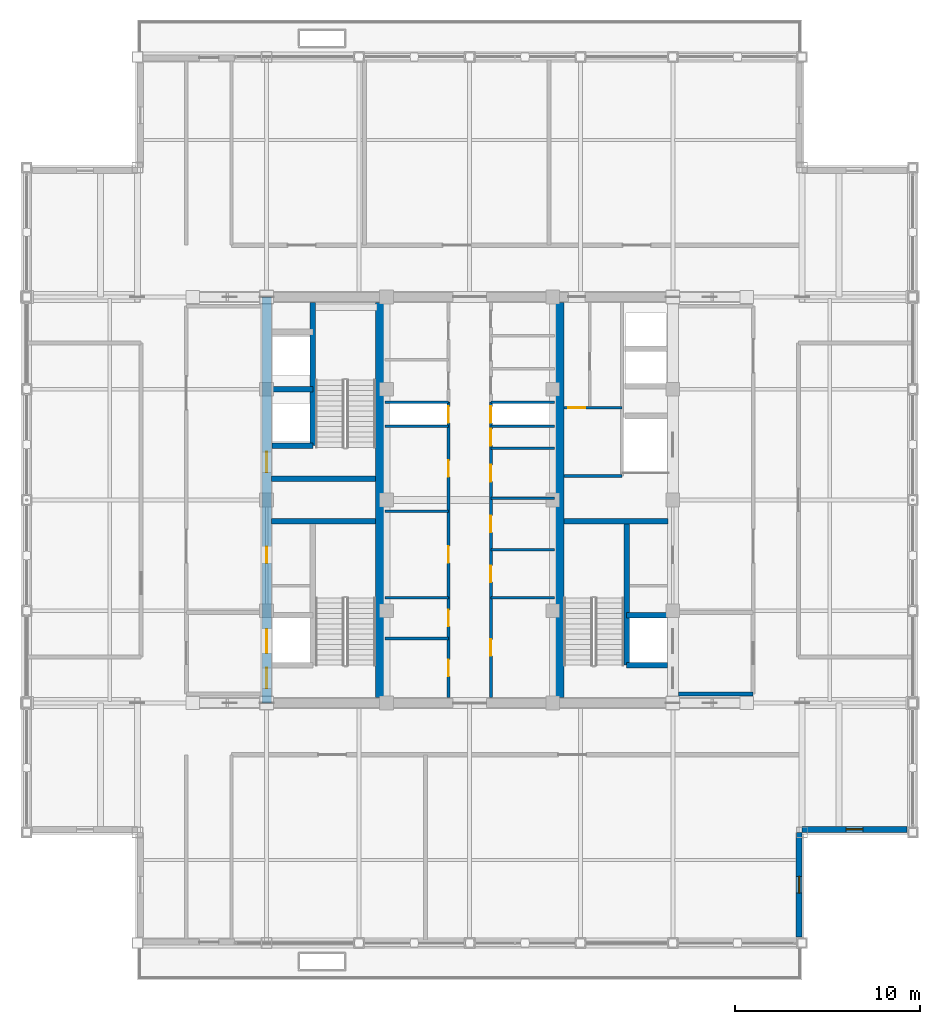
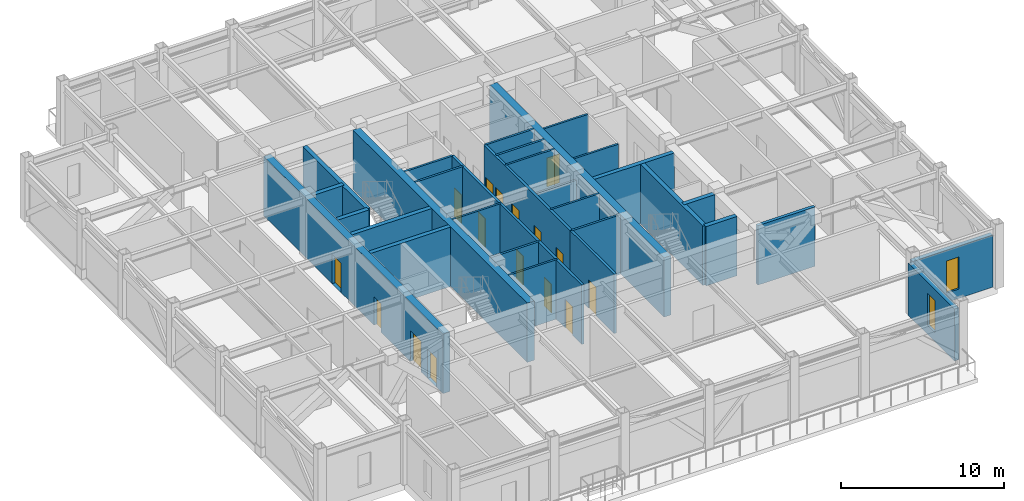
# One storey, part 27 of 32: 32 walls, 16 doors, 2 windows, 18 openings.
"""IFC4 building model written with IfcOpenShell, lengths in metres."""

from ifc_helpers import new_model, si_unit, direction, frame, frame_2d, origin, place, context, subcontext, project, spatial, rectangle, extrude, source, transform, mapped, material, layer, layer_set, type_object, element, fill, save


model = new_model("IFC4")

# Units and contexts
model_context = context("Model", 3, precision=1e-05, world=origin(), true_north=direction((0.0, 1.0)))
body_context = subcontext(model_context, "Body", "Model", "MODEL_VIEW")
ifc_project = project(units=[si_unit("LENGTHUNIT", "METRE"), si_unit("AREAUNIT", "SQUARE_METRE"), si_unit("VOLUMEUNIT", "CUBIC_METRE"), si_unit("PLANEANGLEUNIT", "RADIAN"), si_unit("MASSUNIT", "GRAM", prefix="KILO")], contexts=[model_context])

# Site, building, storey
site_placement = place(None, origin())
site = spatial("IfcSite", under=ifc_project, at=site_placement, CompositionType="ELEMENT")
building_placement = place(site_placement, origin())
building = spatial("IfcBuilding", under=site, at=building_placement, Name="Khorayat Bourse Tower", CompositionType="ELEMENT")
storey_placement = place(building_placement, frame((0.0, 0.0, 375.5)))
storey = spatial("IfcBuildingStorey", under=building, at=storey_placement, Name="L89", CompositionType="ELEMENT", Elevation=375.5)

# Wall, openings, doors
ifc_material_1 = material(Name="Concrete C52/65", Category="concrete")
ifc_layer_1 = layer(ifc_material_1, 0.5)
ifc_layer_set_1 = layer_set([ifc_layer_1], Name="Concrete C52/65")
wall_type_1 = type_object("IfcWallType", Name="WAL-CORE-500", PredefinedType="SHEAR", material=ifc_layer_set_1)
shared_shape_1 = source(origin(), body_context, "Body", "SweptSolid", [
    extrude(rectangle(XDim=22.0, YDim=0.5, at=frame_2d((11.0, 0.0))), origin(), (0.0, 0.0, 1.0), 4.449951171875),
])
wall_1_placement = place(storey_placement, frame((-11.0, -11.0, 0.0), z_axis=(0.0, 0.0, 1.0), x_axis=(0.0, 1.0, 0.0)))
wall_1 = element("IfcWall", 1, at=wall_1_placement, inside=storey, type_object=wall_type_1, Name="L89 Core Shear Wall CORE-W", PredefinedType="SHEAR", context=body_context, shape_type="MappedRepresentation", body=[
    mapped(shared_shape_1, transform((0.0, 0.0, 0.0), scale=1.0)),
])
shared_shape_2 = source(origin(), body_context, "Body", "SweptSolid", [
    extrude(rectangle(XDim=1.10009765625, YDim=2.199951171875, at=frame_2d((0.550048828125, 1.10009765625))), frame((0.0, 0.260009765625, 0.0), z_axis=(0.0, -1.0, 0.0), x_axis=(1.0, 0.0, 0.0)), (0.0, 0.0, 1.0), 0.52001953125),
])
opening_1_placement = place(wall_1_placement, frame((0.800048828125, 0.0, 0.0)))
opening_1 = element("IfcOpeningElement", 2, at=opening_1_placement, cuts=wall_1, Name="Opening DI-01", PredefinedType="OPENING", context=body_context, shape_type="MappedRepresentation", body=[
    mapped(shared_shape_2, transform((0.0, 0.0, 0.0), scale=1.0)),
])
opening_2_placement = place(wall_1_placement, frame((12.5, 0.0, 0.0)))
opening_2 = element("IfcOpeningElement", 3, at=opening_2_placement, cuts=wall_1, Name="Opening DI-01", PredefinedType="OPENING", context=body_context, shape_type="MappedRepresentation", body=[
    mapped(shared_shape_2, transform((0.0, 0.0, 0.0), scale=1.0)),
])
shared_shape_3 = source(origin(), body_context, "Body", "SweptSolid", [
    extrude(rectangle(XDim=0.89990234375, YDim=2.14990234375, at=frame_2d((0.449951171875, 1.074951171875))), frame((0.0, 0.260009765625, 0.0), z_axis=(0.0, -1.0, 0.0), x_axis=(1.0, 0.0, 0.0)), (0.0, 0.0, 1.0), 0.52001953125),
])
opening_3_placement = place(wall_1_placement, frame((7.574951171875, 0.0, 0.0)))
opening_3 = element("IfcOpeningElement", 4, at=opening_3_placement, cuts=wall_1, Name="Opening DI-06", PredefinedType="OPENING", context=body_context, shape_type="MappedRepresentation", body=[
    mapped(shared_shape_3, transform((0.0, 0.0, 0.0), scale=1.0)),
])
shared_shape_4 = source(origin(), body_context, "Body", "SweptSolid", [
    extrude(rectangle(XDim=1.300048828125, YDim=2.300048828125, at=frame_2d((0.64990234375, 1.14990234375))), frame((0.0, 0.260009765625, 0.0), z_axis=(0.0, -1.0, 0.0), x_axis=(1.0, 0.0, 0.0)), (0.0, 0.0, 1.0), 0.52001953125),
])
opening_4_placement = place(wall_1_placement, frame((2.699951171875, 0.0, 0.0)))
opening_4 = element("IfcOpeningElement", 5, at=opening_4_placement, cuts=wall_1, Name="Opening LD-02", PredefinedType="OPENING", context=body_context, shape_type="MappedRepresentation", body=[
    mapped(shared_shape_4, transform((0.0, 0.0, 0.0), scale=1.0)),
])
ifc_material_2 = material(Name="Fire-rated steel acoustic leaf", Category="steel")
door_type_1 = type_object("IfcDoorType", Name="DR-INT-STAIR-1100", OperationType="NOTDEFINED", PredefinedType="DOOR", material=ifc_material_2)
shared_shape_5 = source(origin(), body_context, "Body", "SweptSolid", [
    extrude(rectangle(XDim=1.10009765625, YDim=2.199951171875, at=frame_2d((0.550048828125, 1.10009765625))), frame((0.0, 0.02490234375, 0.0), z_axis=(0.0, -1.0, 0.0), x_axis=(1.0, 0.0, 0.0)), (0.0, 0.0, 1.0), 0.050048828125),
])
door_1_placement = place(opening_1_placement, origin())
door_1 = element("IfcDoor", 6, at=door_1_placement, inside=storey, type_object=door_type_1, Name="L89 Exit Stair 1 Door", OperationType="SINGLE_SWING_RIGHT", OverallHeight=2.199951171875, OverallWidth=1.10009765625, PredefinedType="DOOR", context=body_context, shape_type="MappedRepresentation", body=[
    mapped(shared_shape_5, transform((0.0, 0.0, 0.0), scale=1.0)),
])
fill(opening_1, door_1)
door_2_placement = place(opening_2_placement, origin())
door_2 = element("IfcDoor", 7, at=door_2_placement, inside=storey, type_object=door_type_1, Name="L89 Exit Stair 2 Door", OperationType="SINGLE_SWING_RIGHT", OverallHeight=2.199951171875, OverallWidth=1.10009765625, PredefinedType="DOOR", context=body_context, shape_type="MappedRepresentation", body=[
    mapped(shared_shape_5, transform((0.0, 0.0, 0.0), scale=1.0)),
])
fill(opening_2, door_2)
ifc_material_3 = material(Name="Moisture-resistant laminate washroom door")
door_type_2 = type_object("IfcDoorType", Name="DR-INT-WC-900", OperationType="NOTDEFINED", PredefinedType="DOOR", material=ifc_material_3)
shared_shape_6 = source(origin(), body_context, "Body", "SweptSolid", [
    extrude(rectangle(XDim=0.89990234375, YDim=2.14990234375, at=frame_2d((0.449951171875, 1.074951171875))), frame((0.0, 0.02490234375, 0.0), z_axis=(0.0, -1.0, 0.0), x_axis=(1.0, 0.0, 0.0)), (0.0, 0.0, 1.0), 0.050048828125),
])
door_3_placement = place(opening_3_placement, origin())
door_3 = element("IfcDoor", 8, at=door_3_placement, inside=storey, type_object=door_type_2, Name="L89 UPS Switch Plant Room Door", OperationType="SINGLE_SWING_RIGHT", OverallHeight=2.14990234375, OverallWidth=0.89990234375, PredefinedType="DOOR", context=body_context, shape_type="MappedRepresentation", body=[
    mapped(shared_shape_6, transform((0.0, 0.0, 0.0), scale=1.0)),
])
fill(opening_3, door_3)
ifc_material_4 = material(Name="Fire-rated stainless-steel sliding landing door", Category="steel")
door_type_3 = type_object("IfcDoorType", Name="DR-LIFT-FF-1300", OperationType="NOTDEFINED", PredefinedType="DOOR", material=ifc_material_4)
shared_shape_7 = source(origin(), body_context, "Body", "SweptSolid", [
    extrude(rectangle(XDim=1.300048828125, YDim=2.300048828125, at=frame_2d((0.64990234375, 1.14990234375))), frame((0.0, 0.02490234375, 0.0), z_axis=(0.0, -1.0, 0.0), x_axis=(1.0, 0.0, 0.0)), (0.0, 0.0, 1.0), 0.050048828125),
])
door_4_placement = place(opening_4_placement, origin())
door_4 = element("IfcDoor", 9, at=door_4_placement, inside=storey, type_object=door_type_3, Name="L89 Lift FFL-01 Sliding Landing Door", OperationType="SLIDING_TO_LEFT", OverallHeight=2.300048828125, OverallWidth=1.300048828125, PredefinedType="DOOR", context=body_context, shape_type="MappedRepresentation", body=[
    mapped(shared_shape_7, transform((0.0, 0.0, 0.0), scale=1.0)),
])
fill(opening_4, door_4)

# Walls
shared_shape_8 = source(origin(), body_context, "Body", "SweptSolid", [
    extrude(rectangle(XDim=21.39990234375, YDim=0.5, at=frame_2d((10.699951171875, 0.0))), origin(), (0.0, 0.0, 1.0), 4.449951171875),
])
for number, where, z_axis, x_axis, name in (
    (10, (-4.85009765625, -10.699951171875, 0.0), (0.0, 0.0, 1.0), (0.0, 1.0, 0.0), "L89 Core Shear Wall PIER-W"),
    (11, (4.85009765625, -10.699951171875, 0.0), (0.0, 0.0, 1.0), (0.0, 1.0, 0.0), "L89 Core Shear Wall PIER-E"),
):
    element("IfcWall", number, at=place(storey_placement, frame(where, z_axis=z_axis, x_axis=x_axis)), inside=storey, type_object=wall_type_1, Name=name, PredefinedType="SHEAR", context=body_context, shape_type="MappedRepresentation", body=[
        mapped(shared_shape_8, transform((0.0, 0.0, 0.0), scale=1.0)),
    ])
ifc_material_5 = material(Name="Concrete C50/60", Category="concrete")
ifc_layer_2 = layer(ifc_material_5, 0.300048828125)
ifc_layer_set_2 = layer_set([ifc_layer_2], Name="Concrete C50/60")
wall_type_2 = type_object("IfcWallType", Name="WAL-SHAFT-300", PredefinedType="SHEAR", material=ifc_layer_set_2)
shared_shape_9 = source(origin(), body_context, "Body", "SweptSolid", [
    extrude(rectangle(XDim=5.64990234375, YDim=0.300048828125, at=frame_2d((2.824951171875, 0.0))), origin(), (0.0, 0.0, 1.0), 4.449951171875),
])
for number, where, z_axis, x_axis, name in (
    (12, (-10.75, -1.14990234375, 0.0), (0.0, 0.0, 1.0), (1.0, 0.0, 0.0), "L89 Core Shear Wall ST1-DIV"),
    (13, (-10.75, 1.14990234375, 0.0), (0.0, 0.0, 1.0), (1.0, 0.0, 0.0), "L89 Core Shear Wall ST2-DIV"),
    (14, (5.10009765625, -1.14990234375, 0.0), (0.0, 0.0, 1.0), (1.0, 0.0, 0.0), "L89 Core Shear Wall ST3-DIV"),
):
    element("IfcWall", number, at=place(storey_placement, frame(where, z_axis=z_axis, x_axis=x_axis)), inside=storey, type_object=wall_type_2, Name=name, PredefinedType="SHEAR", context=body_context, shape_type="MappedRepresentation", body=[
        mapped(shared_shape_9, transform((0.0, 0.0, 0.0), scale=1.0)),
    ])

# Wall, opening, window
ifc_material_6 = material(Name="Precast concrete C45/55", Category="concrete")
ifc_layer_3 = layer(ifc_material_6, 0.320068359375)
ifc_layer_set_3 = layer_set([ifc_layer_3], Name="Precast concrete C45/55")
wall_type_3 = type_object("IfcWallType", Name="WAL-EXT-STONE-320", PredefinedType="STANDARD", material=ifc_layer_set_3)
shared_shape_10 = source(origin(), body_context, "Body", "SweptSolid", [
    extrude(rectangle(XDim=5.679931640625, YDim=0.320068359375, at=frame_2d((2.83984375, 0.0))), origin(), (0.0, 0.0, 1.0), 3.90087890625),
])
wall_2_placement = place(storey_placement, frame((17.840087890625, -23.679931640625, 0.0), z_axis=(0.0, 0.0, 1.0), x_axis=(0.0, 1.0, 0.0)))
wall_2 = element("IfcWall", 15, at=wall_2_placement, inside=storey, type_object=wall_type_3, Name="L89 Re-Entrant Notch Limestone Wall SE-V", PredefinedType="STANDARD", context=body_context, shape_type="MappedRepresentation", body=[
    mapped(shared_shape_10, transform((0.0, 0.0, 0.0), scale=1.0)),
])
shared_shape_11 = source(origin(), body_context, "Body", "SweptSolid", [
    extrude(rectangle(XDim=0.89990234375, YDim=2.39990234375, at=frame_2d((0.449951171875, 1.199951171875))), frame((0.0, 0.169921875, 0.0), z_axis=(0.0, -1.0, 0.0), x_axis=(1.0, 0.0, 0.0)), (0.0, 0.0, 1.0), 0.340087890625),
])
opening_5_placement = place(wall_2_placement, frame((2.389892578125, 0.0, 0.699951171875)))
opening_5 = element("IfcOpeningElement", 16, at=opening_5_placement, cuts=wall_2, Name="Opening WN-03", PredefinedType="OPENING", context=body_context, shape_type="MappedRepresentation", body=[
    mapped(shared_shape_11, transform((0.0, 0.0, 0.0), scale=1.0)),
])
ifc_material_7 = material(Name="Deep-reveal solar-control double glazing", Category="glass")
window_type = type_object("IfcWindowType", Name="WIN-SLOT-900x2400", PartitioningType="SINGLE_PANEL", PredefinedType="WINDOW", material=ifc_material_7)
shared_shape_12 = source(origin(), body_context, "Body", "SweptSolid", [
    extrude(rectangle(XDim=0.89990234375, YDim=2.39990234375, at=frame_2d((0.449951171875, 1.199951171875))), frame((0.0, 0.030029296875, 0.0), z_axis=(0.0, -1.0, 0.0), x_axis=(1.0, 0.0, 0.0)), (0.0, 0.0, 1.0), 0.06005859375),
])
window_1_placement = place(opening_5_placement, origin())
window_1 = element("IfcWindow", 17, at=window_1_placement, inside=storey, type_object=window_type, Name="L89 Facade Window 1", OverallHeight=2.39990234375, OverallWidth=0.89990234375, PartitioningType="SINGLE_PANEL", PredefinedType="WINDOW", context=body_context, shape_type="MappedRepresentation", body=[
    mapped(shared_shape_12, transform((0.0, 0.0, 0.0), scale=1.0)),
])
fill(opening_5, window_1)

wall_3_placement = place(storey_placement, frame((18.0, -17.840087890625, 0.0), z_axis=(0.0, 0.0, 1.0), x_axis=(1.0, 0.0, 0.0)))
wall_3 = element("IfcWall", 18, at=wall_3_placement, inside=storey, type_object=wall_type_3, Name="L89 Re-Entrant Notch Limestone Wall SE-H", PredefinedType="STANDARD", context=body_context, shape_type="MappedRepresentation", body=[
    mapped(shared_shape_10, transform((0.0, 0.0, 0.0), scale=1.0)),
])
opening_6_placement = place(wall_3_placement, frame((2.389892578125, 0.0, 0.699951171875)))
opening_6 = element("IfcOpeningElement", 19, at=opening_6_placement, cuts=wall_3, Name="Opening WN-03", PredefinedType="OPENING", context=body_context, shape_type="MappedRepresentation", body=[
    mapped(shared_shape_11, transform((0.0, 0.0, 0.0), scale=1.0)),
])
window_2_placement = place(opening_6_placement, origin())
window_2 = element("IfcWindow", 20, at=window_2_placement, inside=storey, type_object=window_type, Name="L89 Facade Window 1", OverallHeight=2.39990234375, OverallWidth=0.89990234375, PartitioningType="SINGLE_PANEL", PredefinedType="WINDOW", context=body_context, shape_type="MappedRepresentation", body=[
    mapped(shared_shape_12, transform((0.0, 0.0, 0.0), scale=1.0)),
])
fill(opening_6, window_2)

# Walls
shared_shape_13 = source(origin(), body_context, "Body", "SweptSolid", [
    extrude(rectangle(XDim=7.800048828125, YDim=0.300048828125, at=frame_2d((3.89990234375, 0.0))), origin(), (0.0, 0.0, 1.0), 4.449951171875),
])
wall_4_placement = place(storey_placement, frame((8.5, -8.949951171875, 0.0), z_axis=(0.0, 0.0, 1.0), x_axis=(0.0, 1.0, 0.0)))
element("IfcWall", 21, at=wall_4_placement, inside=storey, type_object=wall_type_2, Name="L89 Partition WAL-L89-EPIER-SP", PredefinedType="SHEAR", context=body_context, shape_type="MappedRepresentation", body=[
    mapped(shared_shape_13, transform((0.0, 0.0, 0.0), scale=1.0)),
])
shared_shape_14 = source(origin(), body_context, "Body", "SweptSolid", [
    extrude(rectangle(XDim=2.199951171875, YDim=0.300048828125, at=frame_2d((1.10009765625, 0.0))), origin(), (0.0, 0.0, 1.0), 4.449951171875),
])
for number, where, z_axis, x_axis, name in (
    (22, (-10.699951171875, 2.949951171875, 0.0), (0.0, 0.0, 1.0), (1.0, 0.0, 0.0), "L89 Partition WAL-L89-WPIER-H1S"),
    (23, (-10.699951171875, 6.0, 0.0), (0.0, 0.0, 1.0), (1.0, 0.0, 0.0), "L89 Partition WAL-L89-WPIER-H12"),
    (24, (8.5, -8.949951171875, 0.0), (0.0, 0.0, 1.0), (1.0, 0.0, 0.0), "L89 Partition WAL-L89-EPIER-FF2S"),
    (25, (8.5, -6.25, 0.0), (0.0, 0.0, 1.0), (1.0, 0.0, 0.0), "L89 Partition WAL-L89-EPIER-FF2N"),
):
    element("IfcWall", number, at=place(storey_placement, frame(where, z_axis=z_axis, x_axis=x_axis)), inside=storey, type_object=wall_type_2, Name=name, PredefinedType="SHEAR", context=body_context, shape_type="MappedRepresentation", body=[
        mapped(shared_shape_14, transform((0.0, 0.0, 0.0), scale=1.0)),
    ])
shared_shape_15 = source(origin(), body_context, "Body", "SweptSolid", [
    extrude(rectangle(XDim=7.75, YDim=0.300048828125, at=frame_2d((3.875, 0.0))), origin(), (0.0, 0.0, 1.0), 4.449951171875),
])
wall_5_placement = place(storey_placement, frame((-8.5, 2.949951171875, 0.0), z_axis=(0.0, 0.0, 1.0), x_axis=(0.0, 1.0, 0.0)))
element("IfcWall", 26, at=wall_5_placement, inside=storey, type_object=wall_type_2, Name="L89 Partition WAL-L89-WPIER-ST2S", PredefinedType="SHEAR", context=body_context, shape_type="MappedRepresentation", body=[
    mapped(shared_shape_15, transform((0.0, 0.0, 0.0), scale=1.0)),
])
ifc_material_8 = material(Name="Moisture-resistant masonry partition", Category="masonry")
ifc_layer_4 = layer(ifc_material_8, 0.139892578125)
ifc_layer_set_4 = layer_set([ifc_layer_4], Name="Moisture-resistant masonry partition")
wall_type_4 = type_object("IfcWallType", Name="WAL-PART-WET-140", PredefinedType="PARTITIONING", material=ifc_layer_set_4)
shared_shape_16 = source(origin(), body_context, "Body", "SweptSolid", [
    extrude(rectangle(XDim=3.14990234375, YDim=0.139892578125, at=frame_2d((1.574951171875, 0.0))), origin(), (0.0, 0.0, 1.0), 4.449951171875),
])
wall_6_placement = place(storey_placement, frame((5.10009765625, 1.300048828125, 0.0), z_axis=(0.0, 0.0, 1.0), x_axis=(1.0, 0.0, 0.0)))
element("IfcWall", 27, at=wall_6_placement, inside=storey, type_object=wall_type_4, Name="L89 Partition WAL-L89-ECORE-S", PredefinedType="PARTITIONING", context=body_context, shape_type="MappedRepresentation", body=[
    mapped(shared_shape_16, transform((0.0, 0.0, 0.0), scale=1.0)),
])

# Wall, opening, door
wall_7_placement = place(storey_placement, frame((5.10009765625, 5.0, 0.0), z_axis=(0.0, 0.0, 1.0), x_axis=(1.0, 0.0, 0.0)))
wall_7 = element("IfcWall", 28, at=wall_7_placement, inside=storey, type_object=wall_type_4, Name="L89 Partition WAL-L89-ECW-BOT", PredefinedType="PARTITIONING", context=body_context, shape_type="MappedRepresentation", body=[
    mapped(shared_shape_16, transform((0.0, 0.0, 0.0), scale=1.0)),
])
shared_shape_17 = source(origin(), body_context, "Body", "SweptSolid", [
    extrude(rectangle(XDim=0.89990234375, YDim=2.14990234375, at=frame_2d((0.449951171875, 1.074951171875))), frame((0.0, 0.079833984375, 0.0), z_axis=(0.0, -1.0, 0.0), x_axis=(1.0, 0.0, 0.0)), (0.0, 0.0, 1.0), 0.159912109375),
])
opening_7_placement = place(wall_7_placement, frame((0.25, 0.0, 0.0)))
opening_7 = element("IfcOpeningElement", 29, at=opening_7_placement, cuts=wall_7, Name="Opening DI-06", PredefinedType="OPENING", context=body_context, shape_type="MappedRepresentation", body=[
    mapped(shared_shape_17, transform((0.0, 0.0, 0.0), scale=1.0)),
])
door_5_placement = place(opening_7_placement, origin())
door_5 = element("IfcDoor", 30, at=door_5_placement, inside=storey, type_object=door_type_2, Name="L89 Shared Washroom Door", OperationType="SINGLE_SWING_LEFT", OverallHeight=2.14990234375, OverallWidth=0.89990234375, PredefinedType="DOOR", context=body_context, shape_type="MappedRepresentation", body=[
    mapped(shared_shape_6, transform((0.0, 0.0, 0.0), scale=1.0)),
])
fill(opening_7, door_5)

# Walls
ifc_material_9 = material(Name="Aerated concrete blockwork", Category="masonry")
ifc_layer_5 = layer(ifc_material_9, 0.219970703125)
ifc_layer_set_5 = layer_set([ifc_layer_5], Name="Aerated concrete blockwork")
wall_type_5 = type_object("IfcWallType", Name="WAL-PART-FF-220", PredefinedType="PARTITIONING", material=ifc_layer_set_5)
shared_shape_18 = source(origin(), body_context, "Body", "SweptSolid", [
    extrude(rectangle(XDim=4.050048828125, YDim=0.219970703125, at=frame_2d((2.02490234375, 0.0))), origin(), (0.0, 0.0, 1.0), 4.449951171875),
])
wall_8_placement = place(storey_placement, frame((11.300048828125, -10.5, 0.0), z_axis=(0.0, 0.0, 1.0), x_axis=(1.0, 0.0, 0.0)))
element("IfcWall", 31, at=wall_8_placement, inside=storey, type_object=wall_type_5, Name="L89 Partition WAL-L89-FFLE-S", PredefinedType="PARTITIONING", context=body_context, shape_type="MappedRepresentation", body=[
    mapped(shared_shape_18, transform((0.0, 0.0, 0.0), scale=1.0)),
])
ifc_material_10 = material(Name="Gypsum plasterboard twin-frame partition")
ifc_layer_6 = layer(ifc_material_10, 0.14990234375)
ifc_layer_set_6 = layer_set([ifc_layer_6], Name="Gypsum plasterboard twin-frame partition")
wall_type_6 = type_object("IfcWallType", Name="WAL-PART-SUITE-150", PredefinedType="PARTITIONING", material=ifc_layer_set_6)
shared_shape_19 = source(origin(), body_context, "Body", "SweptSolid", [
    extrude(rectangle(XDim=3.4501953125, YDim=0.14990234375, at=frame_2d((1.72509765625, 0.0))), origin(), (0.0, 0.0, 1.0), 4.449951171875),
])
for number, where, z_axis, x_axis, name in (
    (32, (-4.60009765625, 4.0, 0.0), (0.0, 0.0, 1.0), (1.0, 0.0, 0.0), "L89 Partition WAL-L89-CRSW-S"),
    (33, (1.14990234375, 4.0, 0.0), (0.0, 0.0, 1.0), (1.0, 0.0, 0.0), "L89 Partition WAL-L89-CRSE-S"),
    (34, (-4.60009765625, -5.300048828125, 0.0), (0.0, 0.0, 1.0), (1.0, 0.0, 0.0), "L89 Partition WAL-L89-FB1-NW"),
    (35, (1.14990234375, -5.300048828125, 0.0), (0.0, 0.0, 1.0), (1.0, 0.0, 0.0), "L89 Partition WAL-L89-FB1-NE"),
    (36, (-4.60009765625, 5.300048828125, 0.0), (0.0, 0.0, 1.0), (1.0, 0.0, 0.0), "L89 Partition WAL-L89-FB2-SW"),
    (37, (1.14990234375, 5.300048828125, 0.0), (0.0, 0.0, 1.0), (1.0, 0.0, 0.0), "L89 Partition WAL-L89-FB2-SE"),
):
    element("IfcWall", number, at=place(storey_placement, frame(where, z_axis=z_axis, x_axis=x_axis)), inside=storey, type_object=wall_type_6, Name=name, PredefinedType="PARTITIONING", context=body_context, shape_type="MappedRepresentation", body=[
        mapped(shared_shape_19, transform((0.0, 0.0, 0.0), scale=1.0)),
    ])
shared_shape_20 = source(origin(), body_context, "Body", "SweptSolid", [
    extrude(rectangle(XDim=3.4501953125, YDim=0.139892578125, at=frame_2d((1.72509765625, 0.0))), origin(), (0.0, 0.0, 1.0), 4.449951171875),
])
for number, where, z_axis, x_axis, name in (
    (38, (-4.60009765625, -7.5, 0.0), (0.0, 0.0, 1.0), (1.0, 0.0, 0.0), "L89 Partition WAL-L89-FB1W-D1"),
    (39, (-4.60009765625, -0.60009765625, 0.0), (0.0, 0.0, 1.0), (1.0, 0.0, 0.0), "L89 Partition WAL-L89-CMW-D1"),
    (40, (1.14990234375, -2.699951171875, 0.0), (0.0, 0.0, 1.0), (1.0, 0.0, 0.0), "L89 Partition WAL-L89-CME-D1"),
    (41, (1.14990234375, 2.800048828125, 0.0), (0.0, 0.0, 1.0), (1.0, 0.0, 0.0), "L89 Partition WAL-L89-CME-D3"),
):
    element("IfcWall", number, at=place(storey_placement, frame(where, z_axis=z_axis, x_axis=x_axis)), inside=storey, type_object=wall_type_4, Name=name, PredefinedType="PARTITIONING", context=body_context, shape_type="MappedRepresentation", body=[
        mapped(shared_shape_20, transform((0.0, 0.0, 0.0), scale=1.0)),
    ])

# Wall, openings, doors
ifc_material_11 = material(Name="Gypsum plasterboard acoustic stud wall")
ifc_layer_7 = layer(ifc_material_11, 0.179931640625)
ifc_layer_set_7 = layer_set([ifc_layer_7], Name="Gypsum plasterboard acoustic stud wall")
wall_type_7 = type_object("IfcWallType", Name="WAL-PART-CORR-180", PredefinedType="PARTITIONING", material=ifc_layer_set_7)
shared_shape_21 = source(origin(), body_context, "Body", "SweptSolid", [
    extrude(rectangle(XDim=5.39990234375, YDim=0.179931640625, at=frame_2d((2.699951171875, 0.0))), origin(), (0.0, 0.0, 1.0), 4.449951171875),
])
wall_9_placement = place(storey_placement, frame((-1.14990234375, -10.699951171875, 0.0), z_axis=(0.0, 0.0, 1.0), x_axis=(0.0, 1.0, 0.0)))
wall_9 = element("IfcWall", 42, at=wall_9_placement, inside=storey, type_object=wall_type_7, Name="L89 Partition WAL-L89-FB1W-L", PredefinedType="PARTITIONING", context=body_context, shape_type="MappedRepresentation", body=[
    mapped(shared_shape_21, transform((0.0, 0.0, 0.0), scale=1.0)),
])
shared_shape_22 = source(origin(), body_context, "Body", "SweptSolid", [
    extrude(rectangle(XDim=0.89990234375, YDim=2.14990234375, at=frame_2d((0.449951171875, 1.074951171875))), frame((0.0, 0.099853515625, 0.0), z_axis=(0.0, -1.0, 0.0), x_axis=(1.0, 0.0, 0.0)), (0.0, 0.0, 1.0), 0.199951171875),
])
opening_8_placement = place(wall_9_placement, frame((1.14990234375, 0.0, 0.0)))
opening_8 = element("IfcOpeningElement", 43, at=opening_8_placement, cuts=wall_9, Name="Opening DI-06", PredefinedType="OPENING", context=body_context, shape_type="MappedRepresentation", body=[
    mapped(shared_shape_22, transform((0.0, 0.0, 0.0), scale=1.0)),
])
opening_9_placement = place(wall_9_placement, frame((3.85009765625, 0.0, 0.0)))
opening_9 = element("IfcOpeningElement", 44, at=opening_9_placement, cuts=wall_9, Name="Opening DI-06", PredefinedType="OPENING", context=body_context, shape_type="MappedRepresentation", body=[
    mapped(shared_shape_22, transform((0.0, 0.0, 0.0), scale=1.0)),
])
door_6_placement = place(opening_8_placement, origin())
door_6 = element("IfcDoor", 45, at=door_6_placement, inside=storey, type_object=door_type_2, Name="L89 Records Vault Store Door", OperationType="SINGLE_SWING_RIGHT", OverallHeight=2.14990234375, OverallWidth=0.89990234375, PredefinedType="DOOR", context=body_context, shape_type="MappedRepresentation", body=[
    mapped(shared_shape_6, transform((0.0, 0.0, 0.0), scale=1.0)),
])
fill(opening_8, door_6)
door_7_placement = place(opening_9_placement, origin())
door_7 = element("IfcDoor", 46, at=door_7_placement, inside=storey, type_object=door_type_2, Name="L89 Sprinkler Valve Plant Room Door", OperationType="SINGLE_SWING_LEFT", OverallHeight=2.14990234375, OverallWidth=0.89990234375, PredefinedType="DOOR", context=body_context, shape_type="MappedRepresentation", body=[
    mapped(shared_shape_6, transform((0.0, 0.0, 0.0), scale=1.0)),
])
fill(opening_9, door_7)

# Wall, opening, door
wall_10_placement = place(storey_placement, frame((1.14990234375, -10.699951171875, 0.0), z_axis=(0.0, 0.0, 1.0), x_axis=(0.0, 1.0, 0.0)))
wall_10 = element("IfcWall", 47, at=wall_10_placement, inside=storey, type_object=wall_type_7, Name="L89 Partition WAL-L89-FB1E-L", PredefinedType="PARTITIONING", context=body_context, shape_type="MappedRepresentation", body=[
    mapped(shared_shape_21, transform((0.0, 0.0, 0.0), scale=1.0)),
])
opening_10_placement = place(wall_10_placement, frame((2.25, 0.0, 0.0)))
opening_10 = element("IfcOpeningElement", 48, at=opening_10_placement, cuts=wall_10, Name="Opening DI-06", PredefinedType="OPENING", context=body_context, shape_type="MappedRepresentation", body=[
    mapped(shared_shape_22, transform((0.0, 0.0, 0.0), scale=1.0)),
])
door_8_placement = place(opening_10_placement, origin())
door_8 = element("IfcDoor", 49, at=door_8_placement, inside=storey, type_object=door_type_2, Name="L89 Telemetry Server Plant Room Door", OperationType="SINGLE_SWING_RIGHT", OverallHeight=2.14990234375, OverallWidth=0.89990234375, PredefinedType="DOOR", context=body_context, shape_type="MappedRepresentation", body=[
    mapped(shared_shape_6, transform((0.0, 0.0, 0.0), scale=1.0)),
])
fill(opening_10, door_8)

# Wall, openings, doors
shared_shape_23 = source(origin(), body_context, "Body", "SweptSolid", [
    extrude(rectangle(XDim=10.60009765625, YDim=0.179931640625, at=frame_2d((5.300048828125, 0.0))), origin(), (0.0, 0.0, 1.0), 4.449951171875),
])
wall_11_placement = place(storey_placement, frame((-1.14990234375, -5.300048828125, 0.0), z_axis=(0.0, 0.0, 1.0), x_axis=(0.0, 1.0, 0.0)))
wall_11 = element("IfcWall", 50, at=wall_11_placement, inside=storey, type_object=wall_type_7, Name="L89 Partition WAL-L89-CMW-L", PredefinedType="PARTITIONING", context=body_context, shape_type="MappedRepresentation", body=[
    mapped(shared_shape_23, transform((0.0, 0.0, 0.0), scale=1.0)),
])
opening_11_placement = place(wall_11_placement, frame((1.89990234375, 0.0, 0.0)))
opening_11 = element("IfcOpeningElement", 51, at=opening_11_placement, cuts=wall_11, Name="Opening DI-06", PredefinedType="OPENING", context=body_context, shape_type="MappedRepresentation", body=[
    mapped(shared_shape_22, transform((0.0, 0.0, 0.0), scale=1.0)),
])
opening_12_placement = place(wall_11_placement, frame((6.550048828125, 0.0, 0.0)))
opening_12 = element("IfcOpeningElement", 52, at=opening_12_placement, cuts=wall_11, Name="Opening DI-06", PredefinedType="OPENING", context=body_context, shape_type="MappedRepresentation", body=[
    mapped(shared_shape_22, transform((0.0, 0.0, 0.0), scale=1.0)),
])
opening_13_placement = place(wall_11_placement, frame((9.47509765625, 0.0, 0.0)))
opening_13 = element("IfcOpeningElement", 53, at=opening_13_placement, cuts=wall_11, Name="Opening DI-06", PredefinedType="OPENING", context=body_context, shape_type="MappedRepresentation", body=[
    mapped(shared_shape_22, transform((0.0, 0.0, 0.0), scale=1.0)),
])
door_9_placement = place(opening_11_placement, origin())
door_9 = element("IfcDoor", 54, at=door_9_placement, inside=storey, type_object=door_type_2, Name="L89 Male Core Washroom Door", OperationType="SINGLE_SWING_RIGHT", OverallHeight=2.14990234375, OverallWidth=0.89990234375, PredefinedType="DOOR", context=body_context, shape_type="MappedRepresentation", body=[
    mapped(shared_shape_6, transform((0.0, 0.0, 0.0), scale=1.0)),
])
fill(opening_11, door_9)
door_10_placement = place(opening_12_placement, origin())
door_10 = element("IfcDoor", 55, at=door_10_placement, inside=storey, type_object=door_type_2, Name="L89 Chilled Water Riser Plant Room Door", OperationType="SINGLE_SWING_LEFT", OverallHeight=2.14990234375, OverallWidth=0.89990234375, PredefinedType="DOOR", context=body_context, shape_type="MappedRepresentation", body=[
    mapped(shared_shape_6, transform((0.0, 0.0, 0.0), scale=1.0)),
])
fill(opening_12, door_10)
door_11_placement = place(opening_13_placement, origin())
door_11 = element("IfcDoor", 56, at=door_11_placement, inside=storey, type_object=door_type_2, Name="L89 West Core Riser Door", OperationType="SINGLE_SWING_LEFT", OverallHeight=2.14990234375, OverallWidth=0.89990234375, PredefinedType="DOOR", context=body_context, shape_type="MappedRepresentation", body=[
    mapped(shared_shape_6, transform((0.0, 0.0, 0.0), scale=1.0)),
])
fill(opening_13, door_11)

wall_12_placement = place(storey_placement, frame((1.14990234375, -5.300048828125, 0.0), z_axis=(0.0, 0.0, 1.0), x_axis=(0.0, 1.0, 0.0)))
wall_12 = element("IfcWall", 57, at=wall_12_placement, inside=storey, type_object=wall_type_7, Name="L89 Partition WAL-L89-CME-L", PredefinedType="PARTITIONING", context=body_context, shape_type="MappedRepresentation", body=[
    mapped(shared_shape_23, transform((0.0, 0.0, 0.0), scale=1.0)),
])
opening_14_placement = place(wall_12_placement, frame((0.85009765625, 0.0, 0.0)))
opening_14 = element("IfcOpeningElement", 58, at=opening_14_placement, cuts=wall_12, Name="Opening DI-06", PredefinedType="OPENING", context=body_context, shape_type="MappedRepresentation", body=[
    mapped(shared_shape_22, transform((0.0, 0.0, 0.0), scale=1.0)),
])
opening_15_placement = place(wall_12_placement, frame((3.550048828125, 0.0, 0.0)))
opening_15 = element("IfcOpeningElement", 59, at=opening_15_placement, cuts=wall_12, Name="Opening DI-06", PredefinedType="OPENING", context=body_context, shape_type="MappedRepresentation", body=[
    mapped(shared_shape_22, transform((0.0, 0.0, 0.0), scale=1.0)),
])
opening_16_placement = place(wall_12_placement, frame((6.300048828125, 0.0, 0.0)))
opening_16 = element("IfcOpeningElement", 60, at=opening_16_placement, cuts=wall_12, Name="Opening DI-06", PredefinedType="OPENING", context=body_context, shape_type="MappedRepresentation", body=[
    mapped(shared_shape_22, transform((0.0, 0.0, 0.0), scale=1.0)),
])
opening_17_placement = place(wall_12_placement, frame((8.25, 0.0, 0.0)))
opening_17 = element("IfcOpeningElement", 61, at=opening_17_placement, cuts=wall_12, Name="Opening DI-06", PredefinedType="OPENING", context=body_context, shape_type="MappedRepresentation", body=[
    mapped(shared_shape_22, transform((0.0, 0.0, 0.0), scale=1.0)),
])
opening_18_placement = place(wall_12_placement, frame((9.47509765625, 0.0, 0.0)))
opening_18 = element("IfcOpeningElement", 62, at=opening_18_placement, cuts=wall_12, Name="Opening DI-06", PredefinedType="OPENING", context=body_context, shape_type="MappedRepresentation", body=[
    mapped(shared_shape_22, transform((0.0, 0.0, 0.0), scale=1.0)),
])
door_12_placement = place(opening_14_placement, origin())
door_12 = element("IfcDoor", 63, at=door_12_placement, inside=storey, type_object=door_type_2, Name="L89 Female Core Washroom Door", OperationType="SINGLE_SWING_RIGHT", OverallHeight=2.14990234375, OverallWidth=0.89990234375, PredefinedType="DOOR", context=body_context, shape_type="MappedRepresentation", body=[
    mapped(shared_shape_6, transform((0.0, 0.0, 0.0), scale=1.0)),
])
fill(opening_14, door_12)
door_13_placement = place(opening_15_placement, origin())
door_13 = element("IfcDoor", 64, at=door_13_placement, inside=storey, type_object=door_type_2, Name="L89 Comms Patch Room Door", OperationType="SINGLE_SWING_LEFT", OverallHeight=2.14990234375, OverallWidth=0.89990234375, PredefinedType="DOOR", context=body_context, shape_type="MappedRepresentation", body=[
    mapped(shared_shape_6, transform((0.0, 0.0, 0.0), scale=1.0)),
])
fill(opening_15, door_13)
door_14_placement = place(opening_16_placement, origin())
door_14 = element("IfcDoor", 65, at=door_14_placement, inside=storey, type_object=door_type_2, Name="L89 Janitor Cupboard Door", OperationType="SINGLE_SWING_RIGHT", OverallHeight=2.14990234375, OverallWidth=0.89990234375, PredefinedType="DOOR", context=body_context, shape_type="MappedRepresentation", body=[
    mapped(shared_shape_6, transform((0.0, 0.0, 0.0), scale=1.0)),
])
fill(opening_16, door_14)
door_15_placement = place(opening_17_placement, origin())
door_15 = element("IfcDoor", 66, at=door_15_placement, inside=storey, type_object=door_type_2, Name="L89 Fire Valve Plant Room Door", OperationType="SINGLE_SWING_LEFT", OverallHeight=2.14990234375, OverallWidth=0.89990234375, PredefinedType="DOOR", context=body_context, shape_type="MappedRepresentation", body=[
    mapped(shared_shape_6, transform((0.0, 0.0, 0.0), scale=1.0)),
])
fill(opening_17, door_15)
door_16_placement = place(opening_18_placement, origin())
door_16 = element("IfcDoor", 67, at=door_16_placement, inside=storey, type_object=door_type_2, Name="L89 East Core Riser Door", OperationType="SINGLE_SWING_RIGHT", OverallHeight=2.14990234375, OverallWidth=0.89990234375, PredefinedType="DOOR", context=body_context, shape_type="MappedRepresentation", body=[
    mapped(shared_shape_6, transform((0.0, 0.0, 0.0), scale=1.0)),
])
fill(opening_18, door_16)

# Wall
shared_shape_24 = source(origin(), body_context, "Body", "SweptSolid", [
    extrude(rectangle(XDim=3.4501953125, YDim=0.139892578125, at=frame_2d((1.72509765625, 0.0))), origin(), (0.0, 0.0, 1.0), 3.7548828125),
])
wall_13_placement = place(storey_placement, frame((1.14990234375, 0.10009765625, 0.0), z_axis=(0.0, 0.0, 1.0), x_axis=(1.0, 0.0, 0.0)))
element("IfcWall", 68, at=wall_13_placement, inside=storey, type_object=wall_type_4, Name="L89 Partition WAL-L89-CME-D2", PredefinedType="PARTITIONING", context=body_context, shape_type="MappedRepresentation", body=[
    mapped(shared_shape_24, transform((0.0, 0.0, 0.0), scale=1.0)),
])

save(model, "model.ifc")
